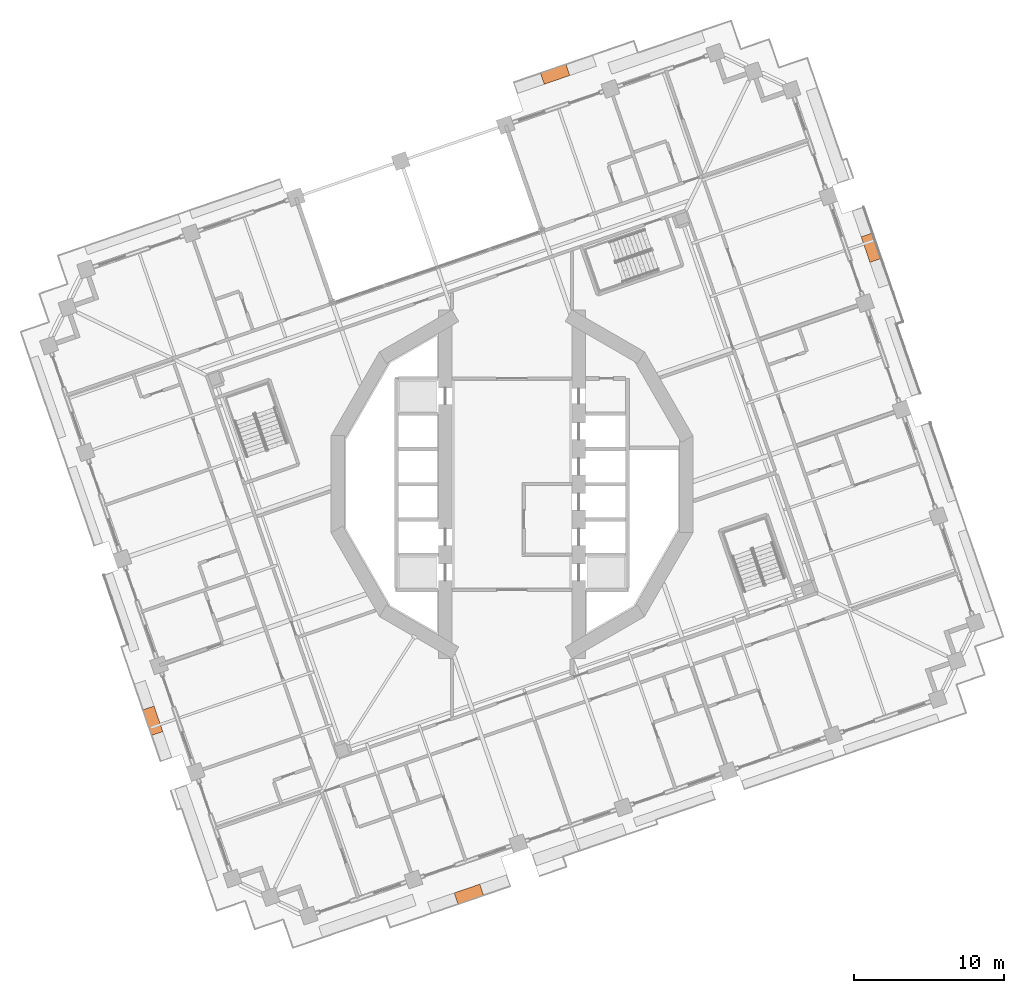
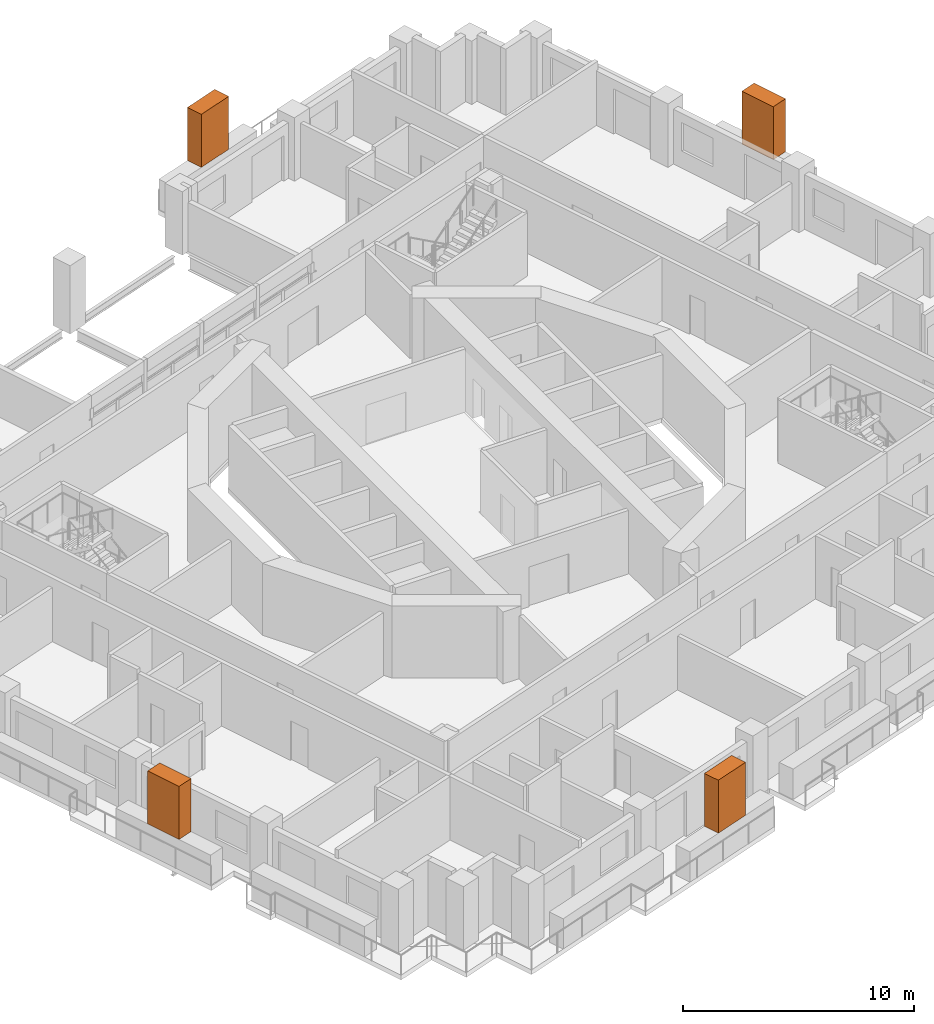
# One storey, part 22 of 22: 4 proxies.
"""IFC4 building model written with IfcOpenShell, lengths in metres."""

from ifc_helpers import new_model, si_unit, direction, frame, origin, origin_2d, place, context, subcontext, project, spatial, rectangle, extrude, element, save


model = new_model("IFC4")

# Units and contexts
model_context = context("Model", 3, precision=1e-05, world=origin(), true_north=direction((0.0, 1.0)))
body_context = subcontext(model_context, "Body", "Model", "MODEL_VIEW")
ifc_project = project(units=[si_unit("LENGTHUNIT", "METRE"), si_unit("AREAUNIT", "SQUARE_METRE"), si_unit("VOLUMEUNIT", "CUBIC_METRE"), si_unit("PLANEANGLEUNIT", "RADIAN"), si_unit("MASSUNIT", "GRAM", prefix="KILO")], contexts=[model_context])

# Site, building, storey
site_placement = place(None, origin())
site = spatial("IfcSite", under=ifc_project, at=site_placement, CompositionType="ELEMENT")
building_placement = place(site_placement, origin())
building = spatial("IfcBuilding", under=site, at=building_placement, Name="Cantera Rosa Tower", CompositionType="ELEMENT")
storey_placement = place(building_placement, frame((0.0, 0.0, 138.300048828125)))
storey = spatial("IfcBuildingStorey", under=building, at=storey_placement, Name="L29", CompositionType="ELEMENT", Elevation=138.300048828125)

# Proxies
for number, where, z_axis, x_axis, name in (
    (1, (23.968994140625, 15.783447265625, 1.60009765625), (0.0, 0.0, 1.0), (-0.325568154457, 0.945518575599, 0.0), "TREE L29-04"),
    (2, (2.87451171875, 27.3583984375, 1.60009765625), (0.0, 0.0, 1.0), (-0.945518575599, -0.325568154457, 0.0), "TREE L29-07"),
    (3, (-23.968994140625, -15.783447265625, 1.60009765625), (0.0, 0.0, 1.0), (0.325568154457, -0.945518575599, 0.0), "TREE L29-15"),
    (4, (-2.87451171875, -27.3583984375, 1.60009765625), (0.0, 0.0, 1.0), (0.945518575599, 0.325568154457, 0.0), "TREE L29-18"),
):
    element("IfcBuildingElementProxy", number, at=place(storey_placement, frame(where, z_axis=z_axis, x_axis=x_axis)), inside=storey, Name=name, ObjectType="TREE", PredefinedType="USERDEFINED", context=body_context, shape_type="SweptSolid", body=[
        extrude(rectangle(XDim=1.800048828125, YDim=0.800048828125, at=origin_2d()), origin(), (0.0, 0.0, 1.0), 2.800048828125),
    ])

save(model, "model.ifc")
